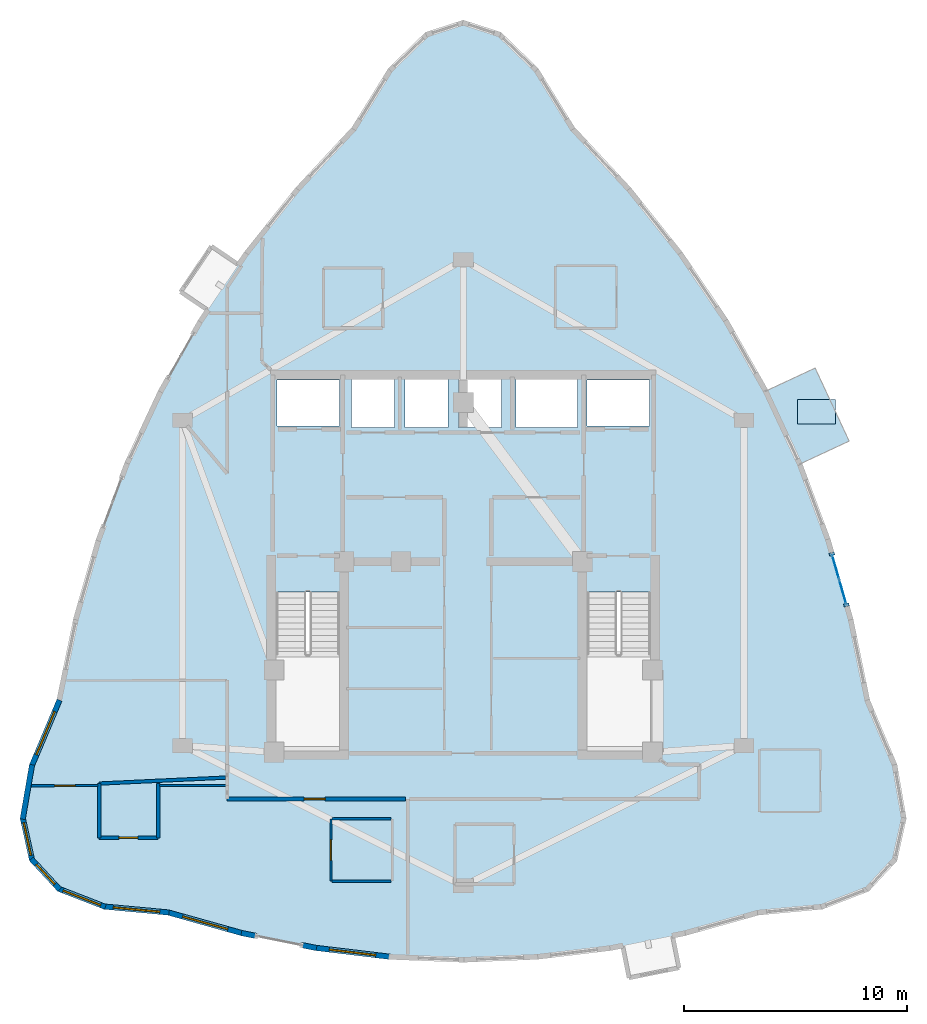
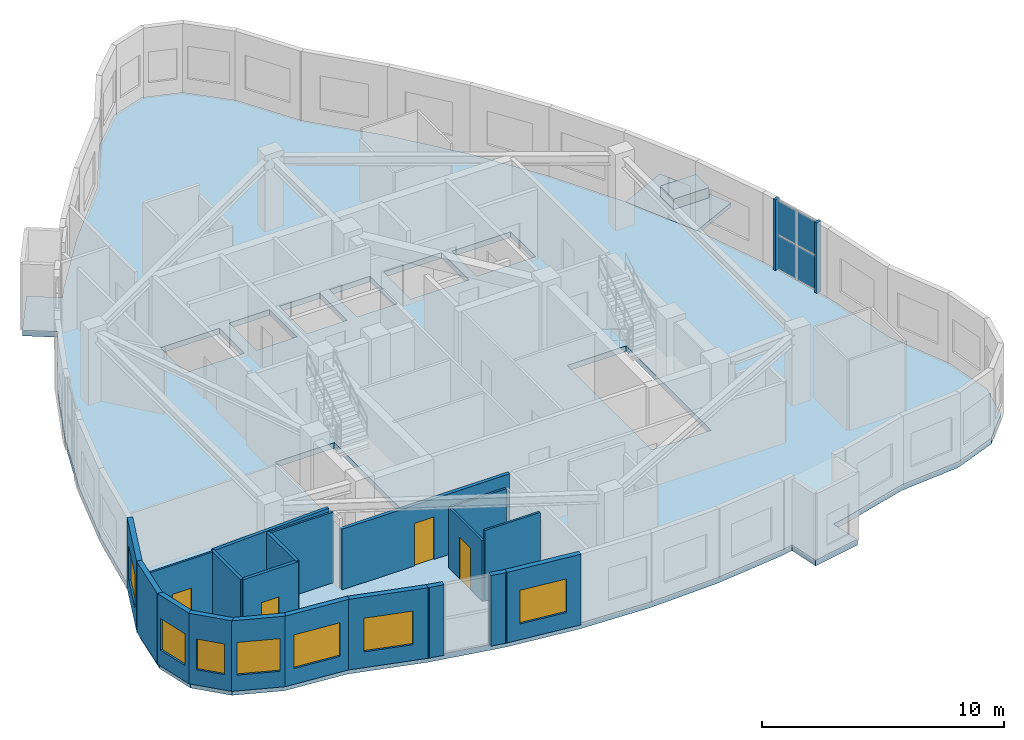
# One storey, part 11 of 16: 20 walls, 7 windows, 6 plates, 4 doors, 3 slabs, 11 openings, 1 element without a shape of its own.
"""IFC4 building model written with IfcOpenShell, lengths in metres."""

from ifc_helpers import new_model, si_unit, direction, frame, frame_2d, origin, origin_2d, place, context, subcontext, project, spatial, polyline, rectangle, outline, extrude, material, layer, layer_set, type_object, element, fill, aggregate, save


model = new_model("IFC4")

# Units and contexts
model_context = context("Model", 3, precision=1e-05, world=origin(), true_north=direction((0.0, 1.0)))
body_context = subcontext(model_context, "Body", "Model", "MODEL_VIEW")
ifc_project = project(units=[si_unit("LENGTHUNIT", "METRE"), si_unit("AREAUNIT", "SQUARE_METRE"), si_unit("VOLUMEUNIT", "CUBIC_METRE"), si_unit("PLANEANGLEUNIT", "RADIAN"), si_unit("MASSUNIT", "GRAM", prefix="KILO")], contexts=[model_context])

# Site, building, storey
site_placement = place(None, origin())
site = spatial("IfcSite", under=ifc_project, at=site_placement, CompositionType="ELEMENT")
building_placement = place(site_placement, origin())
building = spatial("IfcBuilding", under=site, at=building_placement, Name="Miruveldt Soraemaru", CompositionType="ELEMENT")
storey_placement = place(building_placement, frame((0.0, 0.0, 271.25)))
storey = spatial("IfcBuildingStorey", under=building, at=storey_placement, Name="L74", CompositionType="ELEMENT", Elevation=271.25)

# Curtain wall, plates
ifc_material_1 = material(Name="Anodised aluminium EN AW-6063 T6", Category="aluminium")
ifc_layer_1 = layer(ifc_material_1, 0.1650390625, Name="Anodised aluminium EN AW-6063 T6", Category="aluminium")
ifc_layer_set_1 = layer_set([ifc_layer_1], Name="Anodised aluminium EN AW-6063 T6")
curtain_wall_type = type_object("IfcCurtainWallType", Name="CW-SYS-5", PredefinedType="USERDEFINED", material=ifc_layer_set_1)
curtain_wall_placement = place(storey_placement, origin())
curtain_wall = element("IfcCurtainWall", 1, at=curtain_wall_placement, inside=storey, type_object=curtain_wall_type, Name="L74 Curtain Wall Bay 36", ObjectType="UNITISED GLAZING", PredefinedType="USERDEFINED")
ifc_material_2 = material(Name="Triple low-e insulated glazing", Category="glass")
ifc_layer_2 = layer(ifc_material_2, 0.02587890625, Name="Triple low-e insulated glazing", Category="glass")
ifc_layer_set_2 = layer_set([ifc_layer_2], Name="Triple low-e insulated glazing")
plate_type_1 = type_object("IfcPlateType", Name="CWP-5", PredefinedType="CURTAIN_PANEL", material=ifc_layer_set_2)
plate_1_placement = place(storey_placement, frame((61.033935546875, 42.6943359375, 0.06005859375), z_axis=(0.0, 0.0, 1.0), x_axis=(-0.274981603283, 0.961449487938, 0.0)))
plate_1 = element("IfcPlate", 2, at=plate_1_placement, type_object=plate_type_1, Name="CW-5 panel 1.1", PredefinedType="CURTAIN_PANEL", context=body_context, shape_type="SweptSolid", body=[
    extrude(rectangle(XDim=1.1015625, YDim=0.02587890625, at=origin_2d()), origin(), (0.0, 0.0, 1.0), 1.6923828125),
])
plate_2_placement = place(storey_placement, frame((61.033935546875, 42.6943359375, 1.8125), z_axis=(0.0, 0.0, 1.0), x_axis=(-0.274981603283, 0.961449487938, 0.0)))
plate_2 = element("IfcPlate", 3, at=plate_2_placement, type_object=plate_type_1, Name="CW-5 panel 1.2", PredefinedType="CURTAIN_PANEL", context=body_context, shape_type="SweptSolid", body=[
    extrude(rectangle(XDim=1.1015625, YDim=0.02587890625, at=origin_2d()), origin(), (0.0, 0.0, 1.0), 1.6923828125),
])
plate_3_placement = place(storey_placement, frame((60.714599609375, 43.81103515625, 0.06005859375), z_axis=(0.0, 0.0, 1.0), x_axis=(-0.274981603283, 0.961449487938, 0.0)))
plate_3 = element("IfcPlate", 4, at=plate_3_placement, type_object=plate_type_1, Name="CW-5 panel 2.1", PredefinedType="CURTAIN_PANEL", context=body_context, shape_type="SweptSolid", body=[
    extrude(rectangle(XDim=1.1015625, YDim=0.02587890625, at=origin_2d()), origin(), (0.0, 0.0, 1.0), 1.6923828125),
])
plate_4_placement = place(storey_placement, frame((60.714599609375, 43.81103515625, 1.8125), z_axis=(0.0, 0.0, 1.0), x_axis=(-0.274981603283, 0.961449487938, 0.0)))
plate_4 = element("IfcPlate", 5, at=plate_4_placement, type_object=plate_type_1, Name="CW-5 panel 2.2", PredefinedType="CURTAIN_PANEL", context=body_context, shape_type="SweptSolid", body=[
    extrude(rectangle(XDim=1.1015625, YDim=0.02587890625, at=origin_2d()), origin(), (0.0, 0.0, 1.0), 1.6923828125),
])
aggregate(curtain_wall, [plate_1, plate_2, plate_3, plate_4])

# Plates
ifc_layer_3 = layer(ifc_material_1, 0.030029296875, Name="Anodised aluminium EN AW-6063 T6", Category="aluminium")
ifc_layer_set_3 = layer_set([ifc_layer_3], Name="Anodised aluminium EN AW-6063 T6")
plate_type_2 = type_object("IfcPlateType", Name="PLT-JAMB-30", PredefinedType="SHEET", material=ifc_layer_set_3)
for number, where, z_axis, x_axis, name in (
    (6, (61.201904296875, 42.10693359375, 0.0), (0.0, 0.0, 1.0), (-0.274966201438, 0.961453892845, 0.0), "L74 Curtain Wall Jamb Closure Trim 36JL"),
    (7, (60.546630859375, 44.398193359375, 0.0), (0.0, 0.0, 1.0), (-0.274966201438, 0.961453892845, 0.0), "L74 Curtain Wall Jamb Closure Trim 36JR"),
):
    element("IfcPlate", number, at=place(storey_placement, frame(where, z_axis=z_axis, x_axis=x_axis)), inside=storey, type_object=plate_type_2, Name=name, PredefinedType="SHEET", context=body_context, shape_type="SweptSolid", body=[
        extrude(rectangle(XDim=0.139892578125, YDim=0.239990234375, at=origin_2d()), origin(), (0.0, 0.0, 1.0), 3.56494140625),
    ])

# Slabs
ifc_material_3 = material(Name="Precast concrete C45/55 (45 MPa)", Category="concrete")
ifc_layer_4 = layer(ifc_material_3, 0.179931640625, Name="Precast concrete C45/55 (45 MPa)", Category="concrete")
ifc_layer_set_4 = layer_set([ifc_layer_4], Name="Precast concrete C45/55 (45 MPa)")
slab_type_1 = type_object("IfcSlabType", Name="SLAB-PLTR-180", PredefinedType="USERDEFINED", material=ifc_layer_set_4)
slab_1_placement = place(storey_placement, origin())
element("IfcSlab", 8, at=slab_1_placement, inside=storey, type_object=slab_type_1, Name="L74 Sky Garden PLANTER Bed", ObjectType="PLANTER", PredefinedType="USERDEFINED", context=body_context, shape_type="SweptSolid", body=[
    extrude(outline(polyline([(59.00390625, 50.22607421875), (60.7041015625, 50.22607421875), (60.7041015625, 51.325927734375), (59.00390625, 51.325927734375), (59.00390625, 50.22607421875)])), origin(), (0.0, 0.0, 1.0), 0.52001953125),
])
ifc_material_4 = material(Name="Concrete C40/50 (40 MPa)", Category="concrete")
ifc_layer_5 = layer(ifc_material_4, 0.284912109375, Name="Concrete C40/50 (40 MPa)", Category="concrete")
ifc_layer_set_5 = layer_set([ifc_layer_5], Name="Concrete C40/50 (40 MPa)")
slab_type_2 = type_object("IfcSlabType", Name="SLAB-RES4-285", PredefinedType="FLOOR", material=ifc_layer_set_5)
slab_2_placement = place(storey_placement, frame((0.0, 0.0, -0.284912109375)))
element("IfcSlab", 9, at=slab_2_placement, inside=storey, type_object=slab_type_2, Name="L74 Structural Floor Slab", PredefinedType="FLOOR", context=body_context, shape_type="SweptSolid", body=[
    extrude(outline(polyline([(53.688232421875, 25.8203125), (51.43798828125, 25.3701171875), (51.147705078125, 26.821533203125), (50.618408203125, 26.715576171875), (47.30908203125, 26.318603515625), (44.0, 26.18603515625), (40.69091796875, 26.318603515625), (37.381591796875, 26.715576171875), (34.072509765625, 27.37744140625), (30.763427734375, 28.303955078125), (27.905029296875, 28.568115234375), (25.863525390625, 29.360107421875), (24.638671875, 30.680419921875), (24.230224609375, 32.528564453125), (24.638671875, 34.90478515625), (25.863525390625, 37.80908203125), (26.619384765625, 41.482177734375), (27.632080078125, 45.022705078125), (28.901611328125, 48.430908203125), (30.427490234375, 51.706787109375), (32.210693359375, 54.8505859375), (32.537109375, 55.332275390625), (31.311767578125, 56.162353515625), (32.69873046875, 58.2099609375), (33.924072265625, 57.3798828125), (33.23046875, 56.35595703125), (34.25048828125, 57.861572265625), (36.546875, 60.740478515625), (39.10009765625, 63.48681640625), (40.7333984375, 66.127197265625), (42.36669921875, 67.71142578125), (44.0, 68.239501953125), (45.63330078125, 67.71142578125), (47.2666015625, 66.127197265625), (48.89990234375, 63.48681640625), (51.453125, 60.740478515625), (53.74951171875, 57.861572265625), (55.789306640625, 54.8505859375), (57.572509765625, 51.706787109375), (59.098388671875, 48.430908203125), (60.367919921875, 45.022705078125), (61.380615234375, 41.482177734375), (62.136474609375, 37.80908203125), (63.361328125, 34.90478515625), (63.769775390625, 32.528564453125), (63.361328125, 30.680419921875), (62.136474609375, 29.360107421875), (60.094970703125, 28.568115234375), (57.236572265625, 28.303955078125), (53.927490234375, 27.37744140625), (52.27294921875, 27.04638671875), (53.398193359375, 27.271484375), (53.688232421875, 25.8203125)]), holes=[polyline([(35.614990234375, 35.6650390625), (38.43505859375, 35.6650390625), (38.43505859375, 42.68505859375), (35.614990234375, 42.68505859375), (35.614990234375, 35.6650390625)]), polyline([(49.56494140625, 35.6650390625), (52.385009765625, 35.6650390625), (52.385009765625, 42.68505859375), (49.56494140625, 42.68505859375), (49.56494140625, 35.6650390625)]), polyline([(38.445068359375, 50.135009765625), (38.445068359375, 52.205078125), (35.635009765625, 52.205078125), (35.635009765625, 50.135009765625), (38.445068359375, 50.135009765625)]), polyline([(52.364990234375, 50.135009765625), (52.364990234375, 52.205078125), (49.554931640625, 52.205078125), (49.554931640625, 50.135009765625), (52.364990234375, 50.135009765625)]), polyline([(40.9150390625, 50.06494140625), (40.9150390625, 52.3349609375), (38.985107421875, 52.3349609375), (38.985107421875, 50.06494140625), (40.9150390625, 50.06494140625)]), polyline([(43.31494140625, 50.06494140625), (43.31494140625, 52.3349609375), (41.385009765625, 52.3349609375), (41.385009765625, 50.06494140625), (43.31494140625, 50.06494140625)]), polyline([(45.715087890625, 50.06494140625), (45.715087890625, 52.3349609375), (43.784912109375, 52.3349609375), (43.784912109375, 50.06494140625), (45.715087890625, 50.06494140625)]), polyline([(49.135009765625, 50.06494140625), (49.135009765625, 52.3349609375), (46.364990234375, 52.3349609375), (46.364990234375, 50.06494140625), (49.135009765625, 50.06494140625)])]), origin(), (0.0, 0.0, 1.0), 0.284912109375),
])
ifc_layer_6 = layer(ifc_material_4, 0.2099609375, Name="Concrete C40/50 (40 MPa)", Category="concrete")
ifc_layer_set_6 = layer_set([ifc_layer_6], Name="Concrete C40/50 (40 MPa)")
slab_type_3 = type_object("IfcSlabType", Name="SLAB-TERR-210", PredefinedType="ROOF", material=ifc_layer_set_6)
slab_3_placement = place(storey_placement, frame((0.0, 0.0, -0.2099609375)))
element("IfcSlab", 10, at=slab_3_placement, inside=storey, type_object=slab_type_3, Name="L74 Sky Garden Terrace Deck", PredefinedType="ROOF", context=body_context, shape_type="SweptSolid", body=[
    extrude(outline(polyline([(59.080322265625, 48.422607421875), (57.55419921875, 51.698486328125), (59.793212890625, 52.741455078125), (61.3193359375, 49.465576171875), (59.080322265625, 48.422607421875)])), origin(), (0.0, 0.0, 1.0), 0.2099609375),
])

# Wall, opening, window
ifc_layer_7 = layer(ifc_material_3, 0.239990234375, Name="Precast concrete C45/55 (45 MPa)", Category="concrete")
ifc_layer_set_7 = layer_set([ifc_layer_7], Name="Precast concrete C45/55 (45 MPa)")
wall_type_1 = type_object("IfcWallType", Name="WALL-EXT-PC240", PredefinedType="SOLIDWALL", material=ifc_layer_set_7)
wall_1_placement = place(storey_placement, frame((25.877197265625, 37.84130859375, 0.0), z_axis=(0.0, 0.0, 1.0), x_axis=(-0.38863618044, -0.921391295408, 0.0)))
wall_1 = element("IfcWall", 11, at=wall_1_placement, inside=storey, type_object=wall_type_1, Name="L74 Precast Concrete Facade Wall 15", PredefinedType="SOLIDWALL", context=body_context, shape_type="SweptSolid", body=[
    extrude(rectangle(XDim=3.221923828125, YDim=0.239990234375, at=frame_2d((1.61083984375, 0.0))), origin(), (0.0, 0.0, 1.0), 3.56494140625),
])
opening_1_placement = place(wall_1_placement, frame((0.56103515625, 0.0, 0.800048828125)))
opening_1 = element("IfcOpeningElement", 12, at=opening_1_placement, cuts=wall_1, Name="Opening WN-1", PredefinedType="OPENING", context=body_context, shape_type="SweptSolid", body=[
    extrude(rectangle(XDim=2.10009765625, YDim=1.699951171875, at=frame_2d((1.050048828125, 0.85009765625))), frame((0.0, 0.1298828125, 0.0), z_axis=(0.0, -1.0, 0.0), x_axis=(1.0, 0.0, 0.0)), (0.0, 0.0, 1.0), 0.260009765625),
])
window_type_1 = type_object("IfcWindowType", Name="WIN-PUNCH-2100x1700", PartitioningType="SINGLE_PANEL", PredefinedType="WINDOW", material=ifc_material_2)
window_1_placement = place(opening_1_placement, origin())
window_1 = element("IfcWindow", 13, at=window_1_placement, inside=storey, type_object=window_type_1, Name="L74 Punched Triple-Glazed Window 15.1", OverallHeight=1.699951171875, OverallWidth=2.10009765625, PartitioningType="SINGLE_PANEL", PredefinedType="WINDOW", context=body_context, shape_type="SweptSolid", body=[
    extrude(rectangle(XDim=2.10009765625, YDim=1.699951171875, at=frame_2d((1.050048828125, 0.85009765625))), frame((0.0, 0.030029296875, 0.0), z_axis=(0.0, -1.0, 0.0), x_axis=(1.0, 0.0, 0.0)), (0.0, 0.0, 1.0), 0.06005859375),
])
fill(opening_1, window_1)

# Wall
wall_2_placement = place(storey_placement, frame((24.64453125, 34.939208984375, 0.0), z_axis=(0.0, 0.0, 1.0), x_axis=(-0.169343427953, -0.985557103069, 0.0)))
element("IfcWall", 14, at=wall_2_placement, inside=storey, type_object=wall_type_1, Name="L74 Precast Concrete Facade Wall 16", PredefinedType="SOLIDWALL", context=body_context, shape_type="SweptSolid", body=[
    extrude(rectangle(XDim=2.481201171875, YDim=0.239990234375, at=frame_2d((1.24072265625, 0.0))), origin(), (0.0, 0.0, 1.0), 3.56494140625),
])

# Wall, opening, window
wall_3_placement = place(storey_placement, frame((24.22265625, 32.562744140625, 0.0), z_axis=(0.0, 0.0, 1.0), x_axis=(0.215784627028, -0.976440983746, 0.0)))
wall_3 = element("IfcWall", 15, at=wall_3_placement, inside=storey, type_object=wall_type_1, Name="L74 Precast Concrete Facade Wall 17", PredefinedType="SOLIDWALL", context=body_context, shape_type="SweptSolid", body=[
    extrude(rectangle(XDim=1.962890625, YDim=0.239990234375, at=frame_2d((0.9814453125, 0.0))), origin(), (0.0, 0.0, 1.0), 3.56494140625),
])
opening_2_placement = place(wall_3_placement, frame((0.23095703125, 0.0, 0.800048828125)))
opening_2 = element("IfcOpeningElement", 16, at=opening_2_placement, cuts=wall_3, Name="Opening WN-3", PredefinedType="OPENING", context=body_context, shape_type="SweptSolid", body=[
    extrude(rectangle(XDim=1.5, YDim=1.60009765625, at=frame_2d((0.75, 0.800048828125))), frame((0.0, 0.1298828125, 0.0), z_axis=(0.0, -1.0, 0.0), x_axis=(1.0, 0.0, 0.0)), (0.0, 0.0, 1.0), 0.260009765625),
])
window_type_2 = type_object("IfcWindowType", Name="WIN-PUNCH-1500x1600", PartitioningType="SINGLE_PANEL", PredefinedType="WINDOW", material=ifc_material_2)
window_2_placement = place(opening_2_placement, origin())
window_2 = element("IfcWindow", 17, at=window_2_placement, inside=storey, type_object=window_type_2, Name="L74 Punched Triple-Glazed Window 17.1", OverallHeight=1.60009765625, OverallWidth=1.5, PartitioningType="SINGLE_PANEL", PredefinedType="WINDOW", context=body_context, shape_type="SweptSolid", body=[
    extrude(rectangle(XDim=1.5, YDim=1.60009765625, at=frame_2d((0.75, 0.800048828125))), frame((0.0, 0.030029296875, 0.0), z_axis=(0.0, -1.0, 0.0), x_axis=(1.0, 0.0, 0.0)), (0.0, 0.0, 1.0), 0.06005859375),
])
fill(opening_2, window_2)

wall_4_placement = place(storey_placement, frame((24.61474609375, 30.7060546875, 0.0), z_axis=(0.0, 0.0, 1.0), x_axis=(0.680120690591, -0.733100161117, 0.0)))
wall_4 = element("IfcWall", 18, at=wall_4_placement, inside=storey, type_object=wall_type_1, Name="L74 Precast Concrete Facade Wall 18", PredefinedType="SOLIDWALL", context=body_context, shape_type="SweptSolid", body=[
    extrude(rectangle(XDim=1.870849609375, YDim=0.239990234375, at=frame_2d((0.935546875, 0.0))), origin(), (0.0, 0.0, 1.0), 3.56494140625),
])
opening_3_placement = place(wall_4_placement, frame((0.3359375, 0.0, 0.780029296875)))
opening_3 = element("IfcOpeningElement", 19, at=opening_3_placement, cuts=wall_4, Name="Opening WN-4", PredefinedType="OPENING", context=body_context, shape_type="SweptSolid", body=[
    extrude(rectangle(XDim=1.199951171875, YDim=1.550048828125, at=frame_2d((0.60009765625, 0.77490234375))), frame((0.0, 0.1298828125, 0.0), z_axis=(0.0, -1.0, 0.0), x_axis=(1.0, 0.0, 0.0)), (0.0, 0.0, 1.0), 0.260009765625),
])
window_type_3 = type_object("IfcWindowType", Name="WIN-PUNCH-1200x1550", PartitioningType="SINGLE_PANEL", PredefinedType="WINDOW", material=ifc_material_2)
window_3_placement = place(opening_3_placement, origin())
window_3 = element("IfcWindow", 20, at=window_3_placement, inside=storey, type_object=window_type_3, Name="L74 Punched Triple-Glazed Window 18.1", OverallHeight=1.550048828125, OverallWidth=1.199951171875, PartitioningType="SINGLE_PANEL", PredefinedType="WINDOW", context=body_context, shape_type="SweptSolid", body=[
    extrude(rectangle(XDim=1.199951171875, YDim=1.550048828125, at=frame_2d((0.60009765625, 0.77490234375))), frame((0.0, 0.030029296875, 0.0), z_axis=(0.0, -1.0, 0.0), x_axis=(1.0, 0.0, 0.0)), (0.0, 0.0, 1.0), 0.06005859375),
])
fill(opening_3, window_3)

wall_5_placement = place(storey_placement, frame((25.830810546875, 29.372802734375, 0.0), z_axis=(0.0, 0.0, 1.0), x_axis=(0.932300357616, -0.361685005481, 0.0)))
wall_5 = element("IfcWall", 21, at=wall_5_placement, inside=storey, type_object=wall_type_1, Name="L74 Precast Concrete Facade Wall 19", PredefinedType="SOLIDWALL", context=body_context, shape_type="SweptSolid", body=[
    extrude(rectangle(XDim=2.260009765625, YDim=0.239990234375, at=frame_2d((1.1298828125, 0.0))), origin(), (0.0, 0.0, 1.0), 3.56494140625),
])
opening_4_placement = place(wall_5_placement, frame((0.22998046875, 0.0, 0.800048828125)))
opening_4 = element("IfcOpeningElement", 22, at=opening_4_placement, cuts=wall_5, Name="Opening WN-2", PredefinedType="OPENING", context=body_context, shape_type="SweptSolid", body=[
    extrude(rectangle(XDim=1.800048828125, YDim=1.64990234375, at=frame_2d((0.89990234375, 0.824951171875))), frame((0.0, 0.1298828125, 0.0), z_axis=(0.0, -1.0, 0.0), x_axis=(1.0, 0.0, 0.0)), (0.0, 0.0, 1.0), 0.260009765625),
])
window_type_4 = type_object("IfcWindowType", Name="WIN-PUNCH-1800x1650", PartitioningType="SINGLE_PANEL", PredefinedType="WINDOW", material=ifc_material_2)
window_4_placement = place(opening_4_placement, origin())
window_4 = element("IfcWindow", 23, at=window_4_placement, inside=storey, type_object=window_type_4, Name="L74 Punched Triple-Glazed Window 19.1", OverallHeight=1.64990234375, OverallWidth=1.800048828125, PartitioningType="SINGLE_PANEL", PredefinedType="WINDOW", context=body_context, shape_type="SweptSolid", body=[
    extrude(rectangle(XDim=1.800048828125, YDim=1.64990234375, at=frame_2d((0.89990234375, 0.824951171875))), frame((0.0, 0.030029296875, 0.0), z_axis=(0.0, -1.0, 0.0), x_axis=(1.0, 0.0, 0.0)), (0.0, 0.0, 1.0), 0.06005859375),
])
fill(opening_4, window_4)

wall_6_placement = place(storey_placement, frame((27.8701171875, 28.5712890625, 0.0), z_axis=(0.0, 0.0, 1.0), x_axis=(0.995760129853, -0.091987845913, 0.0)))
wall_6 = element("IfcWall", 24, at=wall_6_placement, inside=storey, type_object=wall_type_1, Name="L74 Precast Concrete Facade Wall 20", PredefinedType="SOLIDWALL", context=body_context, shape_type="SweptSolid", body=[
    extrude(rectangle(XDim=2.940673828125, YDim=0.239990234375, at=frame_2d((1.47021484375, 0.0))), origin(), (0.0, 0.0, 1.0), 3.56494140625),
])
opening_5_placement = place(wall_6_placement, frame((0.4208984375, 0.0, 0.800048828125)))
opening_5 = element("IfcOpeningElement", 25, at=opening_5_placement, cuts=wall_6, Name="Opening WN-1", PredefinedType="OPENING", context=body_context, shape_type="SweptSolid", body=[
    extrude(rectangle(XDim=2.10009765625, YDim=1.699951171875, at=frame_2d((1.050048828125, 0.85009765625))), frame((0.0, 0.1298828125, 0.0), z_axis=(0.0, -1.0, 0.0), x_axis=(1.0, 0.0, 0.0)), (0.0, 0.0, 1.0), 0.260009765625),
])
window_5_placement = place(opening_5_placement, origin())
window_5 = element("IfcWindow", 26, at=window_5_placement, inside=storey, type_object=window_type_1, Name="L74 Punched Triple-Glazed Window 20.1", OverallHeight=1.699951171875, OverallWidth=2.10009765625, PartitioningType="SINGLE_PANEL", PredefinedType="WINDOW", context=body_context, shape_type="SweptSolid", body=[
    extrude(rectangle(XDim=2.10009765625, YDim=1.699951171875, at=frame_2d((1.050048828125, 0.85009765625))), frame((0.0, 0.030029296875, 0.0), z_axis=(0.0, -1.0, 0.0), x_axis=(1.0, 0.0, 0.0)), (0.0, 0.0, 1.0), 0.06005859375),
])
fill(opening_5, window_5)

wall_7_placement = place(storey_placement, frame((30.729736328125, 28.3134765625, 0.0), z_axis=(0.0, 0.0, 1.0), x_axis=(0.962953171866, -0.269668664833, 0.0)))
wall_7 = element("IfcWall", 27, at=wall_7_placement, inside=storey, type_object=wall_type_1, Name="L74 Precast Concrete Facade Wall 21", PredefinedType="SOLIDWALL", context=body_context, shape_type="SweptSolid", body=[
    extrude(rectangle(XDim=3.50634765625, YDim=0.239990234375, at=frame_2d((1.753173828125, 0.0))), origin(), (0.0, 0.0, 1.0), 3.56494140625),
])
opening_6_placement = place(wall_7_placement, frame((0.702880859375, 0.0, 0.800048828125)))
opening_6 = element("IfcOpeningElement", 28, at=opening_6_placement, cuts=wall_7, Name="Opening WN-1", PredefinedType="OPENING", context=body_context, shape_type="SweptSolid", body=[
    extrude(rectangle(XDim=2.10009765625, YDim=1.699951171875, at=frame_2d((1.050048828125, 0.85009765625))), frame((0.0, 0.1298828125, 0.0), z_axis=(0.0, -1.0, 0.0), x_axis=(1.0, 0.0, 0.0)), (0.0, 0.0, 1.0), 0.260009765625),
])
window_6_placement = place(opening_6_placement, origin())
window_6 = element("IfcWindow", 29, at=window_6_placement, inside=storey, type_object=window_type_1, Name="L74 Punched Triple-Glazed Window 21.1", OverallHeight=1.699951171875, OverallWidth=2.10009765625, PartitioningType="SINGLE_PANEL", PredefinedType="WINDOW", context=body_context, shape_type="SweptSolid", body=[
    extrude(rectangle(XDim=2.10009765625, YDim=1.699951171875, at=frame_2d((1.050048828125, 0.85009765625))), frame((0.0, 0.030029296875, 0.0), z_axis=(0.0, -1.0, 0.0), x_axis=(1.0, 0.0, 0.0)), (0.0, 0.0, 1.0), 0.06005859375),
])
fill(opening_6, window_6)

# Walls
wall_8_placement = place(storey_placement, frame((34.0380859375, 27.38427734375, 0.0), z_axis=(0.0, 0.0, 1.0), x_axis=(0.980607302004, -0.195982956545, 0.0)))
element("IfcWall", 30, at=wall_8_placement, inside=storey, type_object=wall_type_1, Name="L74 Precast Pier Left 22", PredefinedType="SOLIDWALL", context=body_context, shape_type="SweptSolid", body=[
    extrude(rectangle(XDim=0.705078125, YDim=0.239990234375, at=frame_2d((0.3525390625, 0.0))), origin(), (0.0, 0.0, 1.0), 3.56494140625),
])
wall_9_placement = place(storey_placement, frame((36.72509765625, 26.846923828125, 0.0), z_axis=(0.0, 0.0, 1.0), x_axis=(0.980580675691, -0.196116135138, 0.0)))
element("IfcWall", 31, at=wall_9_placement, inside=storey, type_object=wall_type_1, Name="L74 Precast Pier Right 22", PredefinedType="SOLIDWALL", context=body_context, shape_type="SweptSolid", body=[
    extrude(rectangle(XDim=0.70458984375, YDim=0.239990234375, at=frame_2d((0.352294921875, 0.0))), origin(), (0.0, 0.0, 1.0), 3.56494140625),
])

# Wall, opening, window
wall_10_placement = place(storey_placement, frame((37.346923828125, 26.7197265625, 0.0), z_axis=(0.0, 0.0, 1.0), x_axis=(0.992874122343, -0.119167852967, 0.0)))
wall_10 = element("IfcWall", 32, at=wall_10_placement, inside=storey, type_object=wall_type_1, Name="L74 Precast Concrete Facade Wall 23", PredefinedType="SOLIDWALL", context=body_context, shape_type="SweptSolid", body=[
    extrude(rectangle(XDim=3.40283203125, YDim=0.239990234375, at=frame_2d((1.701416015625, 0.0))), origin(), (0.0, 0.0, 1.0), 3.56494140625),
])
opening_7_placement = place(wall_10_placement, frame((0.65087890625, 0.0, 0.800048828125)))
opening_7 = element("IfcOpeningElement", 33, at=opening_7_placement, cuts=wall_10, Name="Opening WN-1", PredefinedType="OPENING", context=body_context, shape_type="SweptSolid", body=[
    extrude(rectangle(XDim=2.10009765625, YDim=1.699951171875, at=frame_2d((1.050048828125, 0.85009765625))), frame((0.0, 0.1298828125, 0.0), z_axis=(0.0, -1.0, 0.0), x_axis=(1.0, 0.0, 0.0)), (0.0, 0.0, 1.0), 0.260009765625),
])
window_7_placement = place(opening_7_placement, origin())
window_7 = element("IfcWindow", 34, at=window_7_placement, inside=storey, type_object=window_type_1, Name="L74 Punched Triple-Glazed Window 23.1", OverallHeight=1.699951171875, OverallWidth=2.10009765625, PartitioningType="SINGLE_PANEL", PredefinedType="WINDOW", context=body_context, shape_type="SweptSolid", body=[
    extrude(rectangle(XDim=2.10009765625, YDim=1.699951171875, at=frame_2d((1.050048828125, 0.85009765625))), frame((0.0, 0.030029296875, 0.0), z_axis=(0.0, -1.0, 0.0), x_axis=(1.0, 0.0, 0.0)), (0.0, 0.0, 1.0), 0.06005859375),
])
fill(opening_7, window_7)

# Wall, opening, door
ifc_material_5 = material(Name="Gypsum plasterboard lining", Category="gypsum")
ifc_layer_8 = layer(ifc_material_5, 0.10009765625, Name="Gypsum plasterboard lining", Category="gypsum")
ifc_layer_set_8 = layer_set([ifc_layer_8], Name="Gypsum plasterboard lining")
wall_type_2 = type_object("IfcWallType", Name="WALL-INT-P100", PredefinedType="PARTITIONING", material=ifc_layer_set_8)
wall_11_placement = place(storey_placement, frame((27.610107421875, 34.00390625, 0.0), z_axis=(0.0, 0.0, 1.0), x_axis=(-0.999995683237, -0.002938283105, 0.0)))
wall_11 = element("IfcWall", 35, at=wall_11_placement, inside=storey, type_object=wall_type_2, Name="L74 Partition Wall 28", PredefinedType="PARTITIONING", context=body_context, shape_type="SweptSolid", body=[
    extrude(rectangle(XDim=2.9912109375, YDim=0.10009765625, at=frame_2d((1.49560546875, 0.0))), origin(), (0.0, 0.0, 1.0), 3.56494140625),
])
opening_8_placement = place(wall_11_placement, frame((1.035888671875, 0.0, 0.0)))
opening_8 = element("IfcOpeningElement", 36, at=opening_8_placement, cuts=wall_11, Name="Opening D3A", PredefinedType="OPENING", context=body_context, shape_type="SweptSolid", body=[
    extrude(rectangle(XDim=0.919921875, YDim=2.10009765625, at=frame_2d((0.4599609375, 1.050048828125))), frame((0.0, 0.06005859375, 0.0), z_axis=(0.0, -1.0, 0.0), x_axis=(1.0, 0.0, 0.0)), (0.0, 0.0, 1.0), 0.1201171875),
])
door_type_1 = type_object("IfcDoorType", Name="DOOR-INT-920", OperationType="NOTDEFINED", PredefinedType="DOOR", material=ifc_material_1)
door_1_placement = place(opening_8_placement, origin())
door_1 = element("IfcDoor", 37, at=door_1_placement, inside=storey, type_object=door_type_1, Name="L74 Unit 7403 BD1 Door", OperationType="SINGLE_SWING_LEFT", OverallHeight=2.10009765625, OverallWidth=0.919921875, PredefinedType="DOOR", context=body_context, shape_type="SweptSolid", body=[
    extrude(rectangle(XDim=0.919921875, YDim=2.10009765625, at=frame_2d((0.4599609375, 1.050048828125))), frame((0.0, 0.02490234375, 0.0), z_axis=(0.0, -1.0, 0.0), x_axis=(1.0, 0.0, 0.0)), (0.0, 0.0, 1.0), 0.050048828125),
])
fill(opening_8, door_1)

wall_12_placement = place(storey_placement, frame((38.06005859375, 32.510986328125, 0.0), z_axis=(0.0, 0.0, 1.0), x_axis=(0.0, -1.0, 0.0)))
wall_12 = element("IfcWall", 38, at=wall_12_placement, inside=storey, type_object=wall_type_2, Name="L74 Partition Wall 25", PredefinedType="PARTITIONING", context=body_context, shape_type="SweptSolid", body=[
    extrude(rectangle(XDim=2.800048828125, YDim=0.10009765625, at=frame_2d((1.39990234375, 0.0))), origin(), (0.0, 0.0, 1.0), 3.06494140625),
])
opening_9_placement = place(wall_12_placement, frame((0.93994140625, 0.0, 0.0)))
opening_9 = element("IfcOpeningElement", 39, at=opening_9_placement, cuts=wall_12, Name="Opening D3A", PredefinedType="OPENING", context=body_context, shape_type="SweptSolid", body=[
    extrude(rectangle(XDim=0.919921875, YDim=2.10009765625, at=frame_2d((0.4599609375, 1.050048828125))), frame((0.0, 0.06005859375, 0.0), z_axis=(0.0, -1.0, 0.0), x_axis=(1.0, 0.0, 0.0)), (0.0, 0.0, 1.0), 0.1201171875),
])
door_2_placement = place(opening_9_placement, origin())
door_2 = element("IfcDoor", 40, at=door_2_placement, inside=storey, type_object=door_type_1, Name="L74 Unit 7403 KIT Door", OperationType="SINGLE_SWING_RIGHT", OverallHeight=2.10009765625, OverallWidth=0.919921875, PredefinedType="DOOR", context=body_context, shape_type="SweptSolid", body=[
    extrude(rectangle(XDim=0.919921875, YDim=2.10009765625, at=frame_2d((0.4599609375, 1.050048828125))), frame((0.0, 0.02490234375, 0.0), z_axis=(0.0, -1.0, 0.0), x_axis=(1.0, 0.0, 0.0)), (0.0, 0.0, 1.0), 0.050048828125),
])
fill(opening_9, door_2)

# Walls
wall_13_placement = place(storey_placement, frame((33.35009765625, 34.00390625, 0.0), z_axis=(0.0, 0.0, 1.0), x_axis=(-1.0, 0.0, 0.0)))
element("IfcWall", 41, at=wall_13_placement, inside=storey, type_object=wall_type_2, Name="L74 Partition Wall 27", PredefinedType="PARTITIONING", context=body_context, shape_type="SweptSolid", body=[
    extrude(rectangle(XDim=2.989990234375, YDim=0.10009765625, at=frame_2d((1.4951171875, 0.0))), origin(), (0.0, 0.0, 1.0), 3.56494140625),
])
wall_14_placement = place(storey_placement, frame((40.760009765625, 32.510986328125, 0.0), z_axis=(0.0, 0.0, 1.0), x_axis=(-1.0, 0.0, 0.0)))
element("IfcWall", 42, at=wall_14_placement, inside=storey, type_object=wall_type_2, Name="L74 Partition Wall 24", PredefinedType="PARTITIONING", context=body_context, shape_type="SweptSolid", body=[
    extrude(rectangle(XDim=2.64990234375, YDim=0.10009765625, at=frame_2d((1.324951171875, 0.0))), origin(), (0.0, 0.0, 1.0), 3.06494140625),
])
wall_15_placement = place(storey_placement, frame((38.110107421875, 29.7109375, 0.0), z_axis=(0.0, 0.0, 1.0), x_axis=(1.0, 0.0, 0.0)))
element("IfcWall", 43, at=wall_15_placement, inside=storey, type_object=wall_type_2, Name="L74 Partition Wall 26", PredefinedType="PARTITIONING", context=body_context, shape_type="SweptSolid", body=[
    extrude(rectangle(XDim=2.64990234375, YDim=0.10009765625, at=frame_2d((1.324951171875, 0.0))), origin(), (0.0, 0.0, 1.0), 3.56494140625),
])

# Wall, opening, door
ifc_layer_9 = layer(ifc_material_5, 0.14990234375, Name="Gypsum plasterboard lining", Category="gypsum")
ifc_layer_set_9 = layer_set([ifc_layer_9], Name="Gypsum plasterboard lining")
wall_type_3 = type_object("IfcWallType", Name="WALL-INT-PLUMB", PredefinedType="PLUMBINGWALL", material=ifc_layer_set_9)
wall_16_placement = place(storey_placement, frame((27.659912109375, 31.660888671875, 0.0), z_axis=(0.0, 0.0, 1.0), x_axis=(1.0, 0.0, 0.0)))
wall_16 = element("IfcWall", 44, at=wall_16_placement, inside=storey, type_object=wall_type_3, Name="L74 Partition Wall 22", PredefinedType="PLUMBINGWALL", context=body_context, shape_type="SweptSolid", body=[
    extrude(rectangle(XDim=2.650146484375, YDim=0.14990234375, at=frame_2d((1.3251953125, 0.0))), origin(), (0.0, 0.0, 1.0), 3.56494140625),
])
opening_10_placement = place(wall_16_placement, frame((0.885009765625, 0.0, 0.0)))
opening_10 = element("IfcOpeningElement", 45, at=opening_10_placement, cuts=wall_16, Name="Opening FD3", PredefinedType="OPENING", context=body_context, shape_type="SweptSolid", body=[
    extrude(rectangle(XDim=0.85009765625, YDim=2.10009765625, at=frame_2d((0.425048828125, 1.050048828125))), frame((0.0, 0.0849609375, 0.0), z_axis=(0.0, -1.0, 0.0), x_axis=(1.0, 0.0, 0.0)), (0.0, 0.0, 1.0), 0.169921875),
])
door_type_2 = type_object("IfcDoorType", Name="DOOR-FD3-850", OperationType="NOTDEFINED", PredefinedType="DOOR", material=ifc_material_1)
door_3_placement = place(opening_10_placement, origin())
door_3 = element("IfcDoor", 46, at=door_3_placement, inside=storey, type_object=door_type_2, Name="L74 Unit 7403 BTH Door", OperationType="SINGLE_SWING_LEFT", OverallHeight=2.10009765625, OverallWidth=0.85009765625, PredefinedType="DOOR", context=body_context, shape_type="SweptSolid", body=[
    extrude(rectangle(XDim=0.85009765625, YDim=2.10009765625, at=frame_2d((0.425048828125, 1.050048828125))), frame((0.0, 0.02490234375, 0.0), z_axis=(0.0, -1.0, 0.0), x_axis=(1.0, 0.0, 0.0)), (0.0, 0.0, 1.0), 0.050048828125),
])
fill(opening_10, door_3)

# Walls
wall_17_placement = place(storey_placement, frame((33.3349609375, 34.361083984375, 0.0), z_axis=(0.0, 0.0, 1.0), x_axis=(-0.998894331838, -0.047011847668, 0.0)))
element("IfcWall", 47, at=wall_17_placement, inside=storey, type_object=wall_type_3, Name="L74 Partition Wall 30", PredefinedType="PLUMBINGWALL", context=body_context, shape_type="SweptSolid", body=[
    extrude(rectangle(XDim=5.681396484375, YDim=0.14990234375, at=frame_2d((2.8408203125, 0.0))), origin(), (0.0, 0.0, 1.0), 3.56494140625),
])
for number, where, z_axis, x_axis, name in (
    (48, (30.31005859375, 31.660888671875, 0.0), (0.0, 0.0, 1.0), (0.0, 1.0, 0.0), "L74 Partition Wall 20"),
    (49, (27.659912109375, 34.093994140625, 0.0), (0.0, 0.0, 1.0), (0.0, -1.0, 0.0), "L74 Partition Wall 21"),
):
    element("IfcWall", number, at=place(storey_placement, frame(where, z_axis=z_axis, x_axis=x_axis)), inside=storey, type_object=wall_type_3, Name=name, PredefinedType="PLUMBINGWALL", context=body_context, shape_type="SweptSolid", body=[
        extrude(rectangle(XDim=2.43310546875, YDim=0.14990234375, at=frame_2d((1.216552734375, 0.0))), origin(), (0.0, 0.0, 1.0), 3.56494140625),
    ])

# Wall, opening, door
ifc_layer_10 = layer(ifc_material_4, 0.159912109375, Name="Concrete C40/50 (40 MPa)", Category="concrete")
ifc_layer_set_10 = layer_set([ifc_layer_10], Name="Concrete C40/50 (40 MPa)")
wall_type_4 = type_object("IfcWallType", Name="WALL-INT-RC160", PredefinedType="SOLIDWALL", material=ifc_layer_set_10)
wall_18_placement = place(storey_placement, frame((33.39990234375, 33.39990234375, 0.0), z_axis=(0.0, 0.0, 1.0), x_axis=(1.0, 0.0, 0.0)))
wall_18 = element("IfcWall", 50, at=wall_18_placement, inside=storey, type_object=wall_type_4, Name="L74 Partition Wall 5", PredefinedType="SOLIDWALL", context=body_context, shape_type="SweptSolid", body=[
    extrude(rectangle(XDim=8.01416015625, YDim=0.159912109375, at=frame_2d((4.007080078125, 0.0))), origin(), (0.0, 0.0, 1.0), 3.06494140625),
])
opening_11_placement = place(wall_18_placement, frame((3.452880859375, 0.0, 0.0)))
opening_11 = element("IfcOpeningElement", 51, at=opening_11_placement, cuts=wall_18, Name="Opening FD2", PredefinedType="OPENING", context=body_context, shape_type="SweptSolid", body=[
    extrude(rectangle(XDim=0.949951171875, YDim=2.14990234375, at=frame_2d((0.47509765625, 1.074951171875))), frame((0.0, 0.08984375, 0.0), z_axis=(0.0, -1.0, 0.0), x_axis=(1.0, 0.0, 0.0)), (0.0, 0.0, 1.0), 0.179931640625),
])
door_type_3 = type_object("IfcDoorType", Name="DOOR-FD2-950", OperationType="NOTDEFINED", PredefinedType="DOOR", material=ifc_material_1)
door_4_placement = place(opening_11_placement, origin())
door_4 = element("IfcDoor", 52, at=door_4_placement, inside=storey, type_object=door_type_3, Name="L74 Unit 7403 Entrance Fire Door", OperationType="SINGLE_SWING_RIGHT", OverallHeight=2.14990234375, OverallWidth=0.949951171875, PredefinedType="DOOR", context=body_context, shape_type="SweptSolid", body=[
    extrude(rectangle(XDim=0.949951171875, YDim=2.14990234375, at=frame_2d((0.47509765625, 1.074951171875))), frame((0.0, 0.02490234375, 0.0), z_axis=(0.0, -1.0, 0.0), x_axis=(1.0, 0.0, 0.0)), (0.0, 0.0, 1.0), 0.050048828125),
])
fill(opening_11, door_4)

save(model, "model.ifc")
